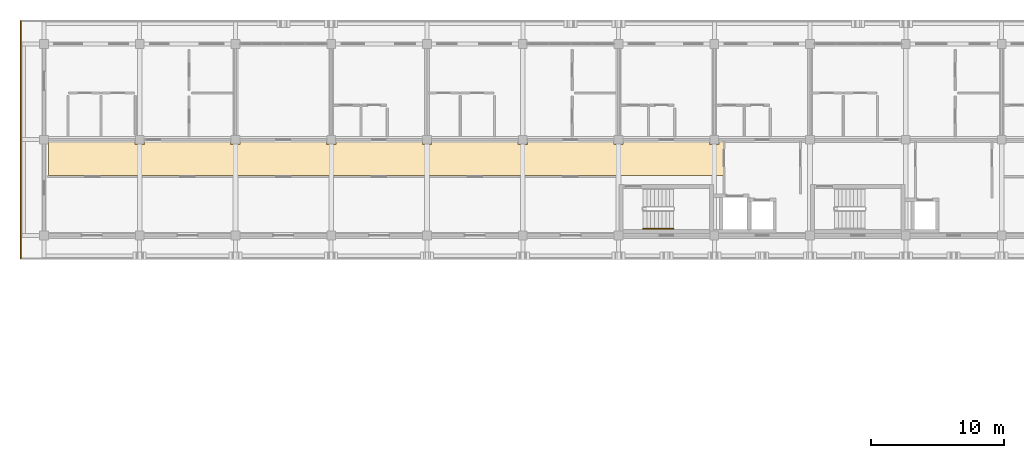
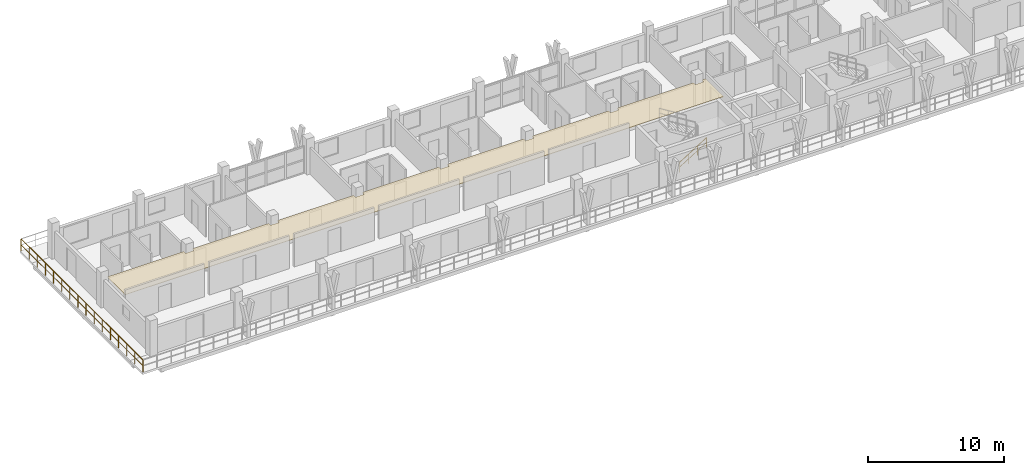
# One storey, part 67 of 78: 2 railings, 1 covering.
"""IFC4 building model written with IfcOpenShell, lengths in metres."""

from ifc_helpers import new_model, si_unit, direction, frame, origin, origin_2d, place, context, subcontext, project, spatial, polyline, rectangle, outline, extrude, material, layer, layer_set, type_object, element, save


model = new_model("IFC4")

# Units and contexts
model_context = context("Model", 3, precision=1e-05, world=origin(), true_north=direction((0.0, 1.0)))
body_context = subcontext(model_context, "Body", "Model", "MODEL_VIEW")
ifc_project = project(units=[si_unit("LENGTHUNIT", "METRE"), si_unit("AREAUNIT", "SQUARE_METRE"), si_unit("VOLUMEUNIT", "CUBIC_METRE"), si_unit("PLANEANGLEUNIT", "RADIAN"), si_unit("MASSUNIT", "GRAM", prefix="KILO")], contexts=[model_context])

# Site, building, storey
site_placement = place(None, origin())
site = spatial("IfcSite", under=ifc_project, at=site_placement, CompositionType="ELEMENT")
building_placement = place(site_placement, origin())
building = spatial("IfcBuilding", under=site, at=building_placement, Name="Suanplinth Sawtooth Commons", CompositionType="ELEMENT")
storey_placement = place(building_placement, frame((0.0, 0.0, 15.39990234375)))
storey = spatial("IfcBuildingStorey", under=building, at=storey_placement, Name="L04", CompositionType="ELEMENT", Elevation=15.39990234375)

# Covering
ifc_material_1 = material(Name="Mineral fibre acoustic tile")
ifc_layer = layer(ifc_material_1, 0.0400390625, Name="Perforated mineral-fibre acoustic suspended ceiling")
ifc_layer_set = layer_set([ifc_layer], Name="Mineral fibre acoustic tile")
covering_type = type_object("IfcCoveringType", Name="CV-CE01", PredefinedType="CEILING", material=ifc_layer_set)
covering_placement = place(storey_placement, frame((0.0, 0.0, 2.380126953125)))
element("IfcCovering", 1, at=covering_placement, inside=storey, type_object=covering_type, Name="L04 Block A Corridor Acoustic Ceiling", PredefinedType="CEILING", context=body_context, shape_type="SweptSolid", body=[
    extrude(outline(polyline([(0.360107421875, 112.5), (0.360107421875, 115.1201171875), (6.844970703125, 115.1201171875), (6.844970703125, 114.844970703125), (7.554931640625, 114.844970703125), (7.554931640625, 115.1201171875), (14.044921875, 115.1201171875), (14.044921875, 114.844970703125), (14.7548828125, 114.844970703125), (14.7548828125, 115.1201171875), (21.2451171875, 115.1201171875), (21.2451171875, 114.844970703125), (21.955078125, 114.844970703125), (21.955078125, 115.1201171875), (28.445068359375, 115.1201171875), (28.445068359375, 114.844970703125), (29.155029296875, 114.844970703125), (29.155029296875, 115.1201171875), (35.64501953125, 115.1201171875), (35.64501953125, 114.844970703125), (36.35498046875, 114.844970703125), (36.35498046875, 115.1201171875), (42.844970703125, 115.1201171875), (42.844970703125, 114.844970703125), (43.554931640625, 114.844970703125), (43.554931640625, 115.1201171875), (50.044921875, 115.1201171875), (50.044921875, 114.844970703125), (50.7548828125, 114.844970703125), (50.7548828125, 115.1201171875), (51.080078125, 115.1201171875), (51.080078125, 112.5), (0.360107421875, 112.5)])), origin(), (0.0, 0.0, 1.0), 0.0400390625),
])

# Railings
ifc_material_2 = material(Name="Powder-coated galvanized steel", Category="steel")
railing_type_1 = type_object("IfcRailingType", Name="GR-01", PredefinedType="BALUSTRADE", material=ifc_material_2)
railing_1_placement = place(storey_placement, frame((-1.739990234375, 106.260009765625, 0.0)))
element("IfcRailing", 2, at=railing_1_placement, inside=storey, type_object=railing_type_1, Name="L04 Block A Perimeter Balustrade 1", PredefinedType="BALUSTRADE", context=body_context, shape_type="SweptSolid", body=[
    extrude(rectangle(XDim=0.048095703125, YDim=0.048095703125, at=origin_2d()), frame((0.0, 0.0, 1.09619140625), z_axis=(0.0, 1.0, 0.0), x_axis=(-1.0, 0.0, 0.0)), (0.0, 0.0, 1.0), 17.8798828125),
    extrude(rectangle(XDim=0.03369140625, YDim=0.03369140625, at=origin_2d()), frame((0.0, 0.0, 0.56005859375), z_axis=(0.0, 1.0, 0.0), x_axis=(-1.0, 0.0, 0.0)), (0.0, 0.0, 1.0), 17.8798828125),
    extrude(rectangle(XDim=0.0419921875, YDim=0.0419921875, at=origin_2d()), origin(), (0.0, 0.0, 1.0), 1.072021484375),
    extrude(rectangle(XDim=0.0419921875, YDim=0.0419921875, at=origin_2d()), frame((0.0, 1.19189453125, 0.0)), (0.0, 0.0, 1.0), 1.072021484375),
    extrude(rectangle(XDim=0.0419921875, YDim=0.0419921875, at=origin_2d()), frame((0.0, 2.384033203125, 0.0)), (0.0, 0.0, 1.0), 1.072021484375),
    extrude(rectangle(XDim=0.0419921875, YDim=0.0419921875, at=origin_2d()), frame((0.0, 3.575927734375, 0.0)), (0.0, 0.0, 1.0), 1.072021484375),
    extrude(rectangle(XDim=0.0419921875, YDim=0.0419921875, at=origin_2d()), frame((0.0, 4.76806640625, 0.0)), (0.0, 0.0, 1.0), 1.072021484375),
    extrude(rectangle(XDim=0.0419921875, YDim=0.0419921875, at=origin_2d()), frame((0.0, 5.9599609375, 0.0)), (0.0, 0.0, 1.0), 1.072021484375),
    extrude(rectangle(XDim=0.0419921875, YDim=0.0419921875, at=origin_2d()), frame((0.0, 7.15185546875, 0.0)), (0.0, 0.0, 1.0), 1.072021484375),
    extrude(rectangle(XDim=0.0419921875, YDim=0.0419921875, at=origin_2d()), frame((0.0, 8.343994140625, 0.0)), (0.0, 0.0, 1.0), 1.072021484375),
    extrude(rectangle(XDim=0.0419921875, YDim=0.0419921875, at=origin_2d()), frame((0.0, 9.535888671875, 0.0)), (0.0, 0.0, 1.0), 1.072021484375),
    extrude(rectangle(XDim=0.0419921875, YDim=0.0419921875, at=origin_2d()), frame((0.0, 10.72802734375, 0.0)), (0.0, 0.0, 1.0), 1.072021484375),
    extrude(rectangle(XDim=0.0419921875, YDim=0.0419921875, at=origin_2d()), frame((0.0, 11.919921875, 0.0)), (0.0, 0.0, 1.0), 1.072021484375),
    extrude(rectangle(XDim=0.0419921875, YDim=0.0419921875, at=origin_2d()), frame((0.0, 13.11181640625, 0.0)), (0.0, 0.0, 1.0), 1.072021484375),
    extrude(rectangle(XDim=0.0419921875, YDim=0.0419921875, at=origin_2d()), frame((0.0, 14.303955078125, 0.0)), (0.0, 0.0, 1.0), 1.072021484375),
    extrude(rectangle(XDim=0.0419921875, YDim=0.0419921875, at=origin_2d()), frame((0.0, 15.495849609375, 0.0)), (0.0, 0.0, 1.0), 1.072021484375),
    extrude(rectangle(XDim=0.0419921875, YDim=0.0419921875, at=origin_2d()), frame((0.0, 16.68798828125, 0.0)), (0.0, 0.0, 1.0), 1.072021484375),
    extrude(rectangle(XDim=0.0419921875, YDim=0.0419921875, at=origin_2d()), frame((0.0, 17.8798828125, 0.0)), (0.0, 0.0, 1.0), 1.072021484375),
])
ifc_material_3 = material(Name="Stainless steel Grade 304", Category="steel")
railing_type_2 = type_object("IfcRailingType", Name="HR-01", PredefinedType="HANDRAIL", material=ifc_material_3)
railing_2_placement = place(storey_placement, frame((45.050048828125, 108.5, 0.177978515625)))
element("IfcRailing", 3, at=railing_2_placement, inside=storey, type_object=railing_type_2, Name="L04 ST-N1 Handrail 1", PredefinedType="HANDRAIL", context=body_context, shape_type="SweptSolid", body=[
    extrude(rectangle(XDim=0.048095703125, YDim=0.048095703125, at=origin_2d()), frame((0.0, 0.0, 0.8759765625), z_axis=(0.848482842525, 0.0, 0.529222888715), x_axis=(0.0, 1.0, 0.0)), (0.0, 0.0, 1.0), 2.687255859375),
    extrude(rectangle(XDim=0.03369140625, YDim=0.03369140625, at=origin_2d()), frame((0.0, 0.0, 0.449951171875), z_axis=(0.848482842525, 0.0, 0.529222888715), x_axis=(0.0, 1.0, 0.0)), (0.0, 0.0, 1.0), 2.687255859375),
    extrude(rectangle(XDim=0.0419921875, YDim=0.0419921875, at=origin_2d()), origin(), (0.0, 0.0, 1.0), 0.851806640625),
    extrude(rectangle(XDim=0.0419921875, YDim=0.0419921875, at=origin_2d()), frame((0.760009765625, 0.0, 0.47412109375)), (0.0, 0.0, 1.0), 0.851806640625),
    extrude(rectangle(XDim=0.0419921875, YDim=0.0419921875, at=origin_2d()), frame((1.52001953125, 0.0, 0.947998046875)), (0.0, 0.0, 1.0), 0.851806640625),
    extrude(rectangle(XDim=0.0419921875, YDim=0.0419921875, at=origin_2d()), frame((2.280029296875, 0.0, 1.422119140625)), (0.0, 0.0, 1.0), 0.851806640625),
])

save(model, "model.ifc")
